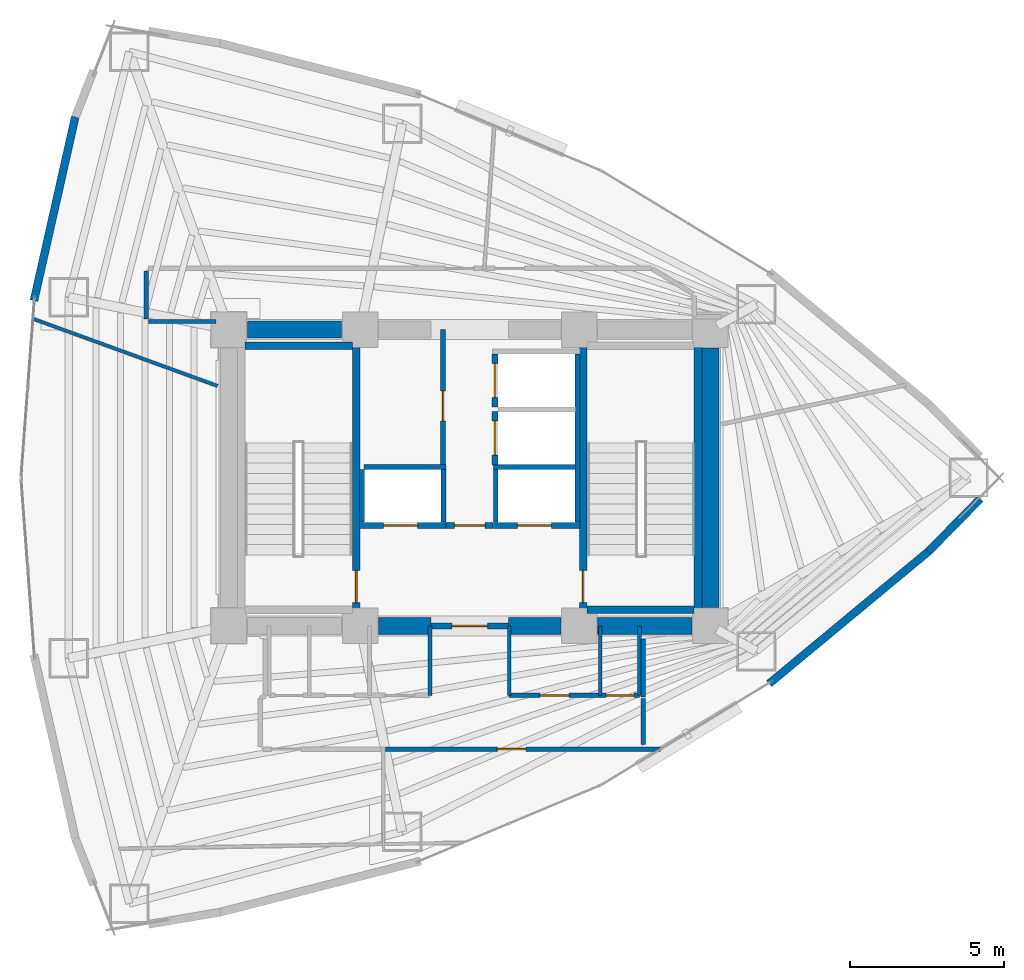
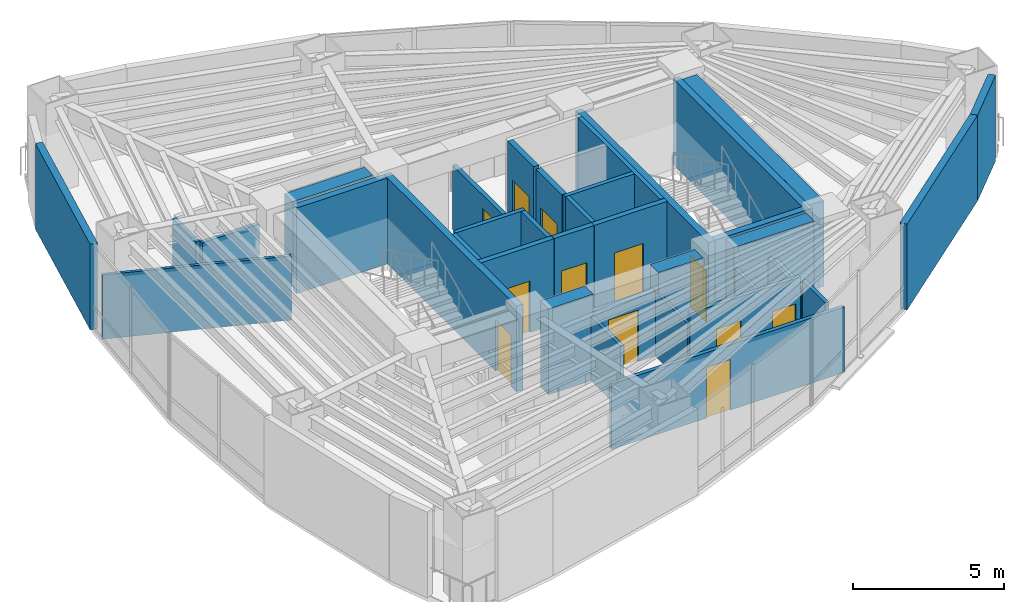
# One storey, part 15 of 19: 37 walls, 12 doors, 12 openings.
"""IFC4 building model written with IfcOpenShell, lengths in metres."""

from ifc_helpers import new_model, si_unit, direction, frame, frame_2d, origin, place, context, subcontext, project, spatial, rectangle, extrude, material, layer, layer_set, type_object, element, fill, save


model = new_model("IFC4")

# Units and contexts
model_context = context("Model", 3, precision=1e-05, world=origin(), true_north=direction((0.0, 1.0)))
body_context = subcontext(model_context, "Body", "Model", "MODEL_VIEW")
ifc_project = project(units=[si_unit("LENGTHUNIT", "METRE"), si_unit("AREAUNIT", "SQUARE_METRE"), si_unit("VOLUMEUNIT", "CUBIC_METRE"), si_unit("PLANEANGLEUNIT", "RADIAN"), si_unit("MASSUNIT", "GRAM", prefix="KILO")], contexts=[model_context])

# Site, building, storey
site_placement = place(None, origin())
site = spatial("IfcSite", under=ifc_project, at=site_placement, CompositionType="ELEMENT")
building_placement = place(site_placement, origin())
building = spatial("IfcBuilding", under=site, at=building_placement, Name="Menara Vayukalpa", CompositionType="ELEMENT")
storey_placement = place(building_placement, frame((0.0, 0.0, 122.580078125)))
storey = spatial("IfcBuildingStorey", under=building, at=storey_placement, Name="L30", CompositionType="ELEMENT", Elevation=122.580078125)

# Walls
ifc_material_1 = material(Name="Concrete C60/75", Category="concrete")
ifc_layer_1 = layer(ifc_material_1, 0.550048828125)
ifc_layer_set_1 = layer_set([ifc_layer_1], Name="Concrete C60/75")
wall_type_1 = type_object("IfcWallType", Name="WAL-CW550", PredefinedType="SHEAR", material=ifc_layer_set_1)
wall_1_placement = place(storey_placement, frame((22.64501953125, 17.199951171875, 0.0), z_axis=(0.0, 0.0, 1.0), x_axis=(1.0, 0.0, 0.0)))
element("IfcWall", 1, at=wall_1_placement, inside=storey, type_object=wall_type_1, Name="L30 Buttressed Core Shear Wall CWS2", PredefinedType="SHEAR", context=body_context, shape_type="SweptSolid", body=[
    extrude(rectangle(XDim=1.705078125, YDim=0.550048828125, at=frame_2d((0.8525390625, 0.0))), origin(), (0.0, 0.0, 1.0), 3.469970703125),
])
wall_2_placement = place(storey_placement, frame((26.85009765625, 17.199951171875, 0.0), z_axis=(0.0, 0.0, 1.0), x_axis=(1.0, 0.0, 0.0)))
element("IfcWall", 2, at=wall_2_placement, inside=storey, type_object=wall_type_1, Name="L30 Buttressed Core Shear Wall CWS3", PredefinedType="SHEAR", context=body_context, shape_type="SweptSolid", body=[
    extrude(rectangle(XDim=1.704833984375, YDim=0.550048828125, at=frame_2d((0.8525390625, 0.0))), origin(), (0.0, 0.0, 1.0), 3.469970703125),
])
wall_3_placement = place(storey_placement, frame((29.7451171875, 17.199951171875, 0.0), z_axis=(0.0, 0.0, 1.0), x_axis=(1.0, 0.0, 0.0)))
element("IfcWall", 3, at=wall_3_placement, inside=storey, type_object=wall_type_1, Name="L30 Buttressed Core Shear Wall CWS4", PredefinedType="SHEAR", context=body_context, shape_type="SweptSolid", body=[
    extrude(rectangle(XDim=3.059814453125, YDim=0.550048828125, at=frame_2d((1.52978515625, 0.0))), origin(), (0.0, 0.0, 1.0), 3.469970703125),
])
wall_4_placement = place(storey_placement, frame((18.39501953125, 26.800048828125, 0.0), z_axis=(0.0, 0.0, 1.0), x_axis=(1.0, 0.0, 0.0)))
element("IfcWall", 4, at=wall_4_placement, inside=storey, type_object=wall_type_1, Name="L30 Buttressed Core Shear Wall CWN1", PredefinedType="SHEAR", context=body_context, shape_type="SweptSolid", body=[
    extrude(rectangle(XDim=3.06005859375, YDim=0.550048828125, at=frame_2d((1.530029296875, 0.0))), origin(), (0.0, 0.0, 1.0), 3.469970703125),
])
wall_5_placement = place(storey_placement, frame((33.39990234375, 17.794921875, 0.0), z_axis=(0.0, 0.0, 1.0), x_axis=(0.0, 1.0, 0.0)))
element("IfcWall", 5, at=wall_5_placement, inside=storey, type_object=wall_type_1, Name="L30 Buttressed Core Shear Wall CWE1", PredefinedType="SHEAR", context=body_context, shape_type="SweptSolid", body=[
    extrude(rectangle(XDim=8.41015625, YDim=0.550048828125, at=frame_2d((4.205078125, 0.0))), origin(), (0.0, 0.0, 1.0), 3.469970703125),
])
ifc_material_2 = material(Name="Insulated Precast Concrete C40/50", Category="concrete")
ifc_layer_2 = layer(ifc_material_2, 0.260009765625)
ifc_layer_set_2 = layer_set([ifc_layer_2], Name="Insulated Precast Concrete C40/50")
wall_type_2 = type_object("IfcWallType", Name="WAL-EXT260", PredefinedType="PARTITIONING", material=ifc_layer_set_2)
wall_6_placement = place(storey_placement, frame((42.14111328125, 21.316650390625, 0.0), z_axis=(0.0, 0.0, 1.0), x_axis=(-0.700603293449, -0.713550996922, 0.0)))
element("IfcWall", 6, at=wall_6_placement, inside=storey, type_object=wall_type_2, Name="L30 Perimeter Terracotta Pier Wall 01", PredefinedType="PARTITIONING", context=body_context, shape_type="SweptSolid", body=[
    extrude(rectangle(XDim=2.394775390625, YDim=0.260009765625, at=frame_2d((1.197265625, 0.0))), origin(), (0.0, 0.0, 1.0), 3.469970703125),
])
wall_7_placement = place(storey_placement, frame((11.482421875, 27.73828125, 0.0), z_axis=(0.0, 0.0, 1.0), x_axis=(0.219535044336, 0.975604614743, 0.0)))
element("IfcWall", 7, at=wall_7_placement, inside=storey, type_object=wall_type_2, Name="L30 Perimeter Terracotta Pier Wall 09", PredefinedType="PARTITIONING", context=body_context, shape_type="SweptSolid", body=[
    extrude(rectangle(XDim=6.10205078125, YDim=0.260009765625, at=frame_2d((3.051025390625, 0.0))), origin(), (0.0, 0.0, 1.0), 3.469970703125),
])
wall_8_placement = place(storey_placement, frame((40.472412109375, 19.6162109375, 0.0), z_axis=(0.0, 0.0, 1.0), x_axis=(-0.76975316947, -0.638341646841, 0.0)))
element("IfcWall", 8, at=wall_8_placement, inside=storey, type_object=wall_type_2, Name="L30 Perimeter Terracotta Pier Wall 18", PredefinedType="PARTITIONING", context=body_context, shape_type="SweptSolid", body=[
    extrude(rectangle(XDim=6.718017578125, YDim=0.260009765625, at=frame_2d((3.35888671875, 0.0))), origin(), (0.0, 0.0, 1.0), 3.469970703125),
])
ifc_material_3 = material(Name="Lightweight Concrete Blockwork C16/20", Category="masonry")
ifc_layer_3 = layer(ifc_material_3, 0.159912109375)
ifc_layer_set_3 = layer_set([ifc_layer_3], Name="Lightweight Concrete Blockwork C16/20")
wall_type_3 = type_object("IfcWallType", Name="WAL-FR150", PredefinedType="PARTITIONING", material=ifc_layer_set_3)
for number, where, z_axis, x_axis, name in (
    (9, (22.10498046875, 20.56005859375, 0.0), (0.0, 0.0, 1.0), (0.0, 1.0, 0.0), "L30 Interior Partition IW-L30-SHW-WW"),
    (10, (24.7548828125, 20.56005859375, 0.0), (0.0, 0.0, 1.0), (0.0, 1.0, 0.0), "L30 Interior Partition IW-L30-SHW-W1E"),
):
    element("IfcWall", number, at=place(storey_placement, frame(where, z_axis=z_axis, x_axis=x_axis)), inside=storey, type_object=wall_type_3, Name=name, PredefinedType="PARTITIONING", context=body_context, shape_type="SweptSolid", body=[
        extrude(rectangle(XDim=1.7099609375, YDim=0.159912109375, at=frame_2d((0.85498046875, 0.0))), origin(), (0.0, 0.0, 1.0), 3.469970703125),
    ])
wall_9_placement = place(storey_placement, frame((22.179931640625, 22.344970703125, 0.0), z_axis=(0.0, 0.0, 1.0), x_axis=(1.0, 0.0, 0.0)))
element("IfcWall", 11, at=wall_9_placement, inside=storey, type_object=wall_type_3, Name="L30 Interior Partition IW-L30-SHM-W12", PredefinedType="PARTITIONING", context=body_context, shape_type="SweptSolid", body=[
    extrude(rectangle(XDim=2.650146484375, YDim=0.159912109375, at=frame_2d((1.3251953125, 0.0))), origin(), (0.0, 0.0, 1.0), 3.469970703125),
])
wall_10_placement = place(storey_placement, frame((29.094970703125, 20.56005859375, 0.0), z_axis=(0.0, 0.0, 1.0), x_axis=(0.0, 1.0, 0.0)))
element("IfcWall", 12, at=wall_10_placement, inside=storey, type_object=wall_type_3, Name="L30 Interior Partition IW-L30-SHW-EE", PredefinedType="PARTITIONING", context=body_context, shape_type="SweptSolid", body=[
    extrude(rectangle(XDim=5.449951171875, YDim=0.159912109375, at=frame_2d((2.72509765625, 0.0))), origin(), (0.0, 0.0, 1.0), 3.469970703125),
])
wall_11_placement = place(storey_placement, frame((26.445068359375, 20.56005859375, 0.0), z_axis=(0.0, 0.0, 1.0), x_axis=(0.0, 1.0, 0.0)))
element("IfcWall", 13, at=wall_11_placement, inside=storey, type_object=wall_type_3, Name="L30 Interior Partition IW-L30-SHW-E1W", PredefinedType="PARTITIONING", context=body_context, shape_type="SweptSolid", body=[
    extrude(rectangle(XDim=1.7099609375, YDim=0.159912109375, at=frame_2d((0.85498046875, 0.0))), origin(), (0.0, 0.0, 1.0), 3.469970703125),
])
wall_12_placement = place(storey_placement, frame((26.3701171875, 22.344970703125, 0.0), z_axis=(0.0, 0.0, 1.0), x_axis=(1.0, 0.0, 0.0)))
element("IfcWall", 14, at=wall_12_placement, inside=storey, type_object=wall_type_3, Name="L30 Interior Partition IW-L30-SHM-E13", PredefinedType="PARTITIONING", context=body_context, shape_type="SweptSolid", body=[
    extrude(rectangle(XDim=2.64990234375, YDim=0.159912109375, at=frame_2d((1.324951171875, 0.0))), origin(), (0.0, 0.0, 1.0), 3.469970703125),
])

# Wall, opening, door
wall_13_placement = place(storey_placement, frame((24.739990234375, 22.429931640625, 0.0), z_axis=(0.0, 0.0, 1.0), x_axis=(0.0, 1.0, 0.0)))
wall_13 = element("IfcWall", 15, at=wall_13_placement, inside=storey, type_object=wall_type_3, Name="L30 Interior Partition IW-L30-LV7W", PredefinedType="PARTITIONING", context=body_context, shape_type="SweptSolid", body=[
    extrude(rectangle(XDim=4.3701171875, YDim=0.159912109375, at=frame_2d((2.18505859375, 0.0))), origin(), (0.0, 0.0, 1.0), 2.599853515625),
])
opening_1_placement = place(wall_13_placement, frame((1.39990234375, 0.0, 0.0)))
opening_1 = element("IfcOpeningElement", 16, at=opening_1_placement, cuts=wall_13, Name="Opening ID3", PredefinedType="OPENING", context=body_context, shape_type="SweptSolid", body=[
    extrude(rectangle(XDim=0.97998046875, YDim=2.06005859375, at=frame_2d((0.489990234375, 1.030029296875))), frame((0.0, 0.08984375, 0.0), z_axis=(0.0, -1.0, 0.0), x_axis=(1.0, 0.0, 0.0)), (0.0, 0.0, 1.0), 0.179931640625),
])
ifc_material_4 = material(Name="Fire-Rated Powder-Coated Steel Door", Category="steel")
door_type_1 = type_object("IfcDoorType", Name="DR-FD60", OperationType="NOTDEFINED", PredefinedType="DOOR", material=ifc_material_4)
door_1_placement = place(opening_1_placement, origin())
door_1 = element("IfcDoor", 17, at=door_1_placement, inside=storey, type_object=door_type_1, Name="L30 Interior Door DR-L30-LV7W", OperationType="SINGLE_SWING_LEFT", OverallHeight=2.06005859375, OverallWidth=0.97998046875, PredefinedType="DOOR", context=body_context, shape_type="SweptSolid", body=[
    extrude(rectangle(XDim=0.97998046875, YDim=2.06005859375, at=frame_2d((0.489990234375, 1.030029296875))), frame((0.0, 0.02490234375, 0.0), z_axis=(0.0, -1.0, 0.0), x_axis=(1.0, 0.0, 0.0)), (0.0, 0.0, 1.0), 0.050048828125),
])
fill(opening_1, door_1)

ifc_material_5 = material(Name="Lightweight Concrete Blockwork C16/20", Category="masonry")
ifc_layer_4 = layer(ifc_material_5, 0.199951171875)
ifc_layer_set_4 = layer_set([ifc_layer_4], Name="Lightweight Concrete Blockwork C16/20")
wall_type_4 = type_object("IfcWallType", Name="WAL-FR200", PredefinedType="PARTITIONING", material=ifc_layer_set_4)
wall_14_placement = place(storey_placement, frame((24.35009765625, 17.199951171875, 0.0), z_axis=(0.0, 0.0, 1.0), x_axis=(1.0, 0.0, 0.0)))
wall_14 = element("IfcWall", 18, at=wall_14_placement, inside=storey, type_object=wall_type_4, Name="L30 Interior Partition IW-L30-FFLS", PredefinedType="PARTITIONING", context=body_context, shape_type="SweptSolid", body=[
    extrude(rectangle(XDim=2.5, YDim=0.199951171875, at=frame_2d((1.25, 0.0))), origin(), (0.0, 0.0, 1.0), 2.599853515625),
])
opening_2_placement = place(wall_14_placement, frame((0.679931640625, 0.0, 0.0)))
opening_2 = element("IfcOpeningElement", 19, at=opening_2_placement, cuts=wall_14, Name="Opening ID2", PredefinedType="OPENING", context=body_context, shape_type="SweptSolid", body=[
    extrude(rectangle(XDim=1.14990234375, YDim=2.080078125, at=frame_2d((0.574951171875, 1.0400390625))), frame((0.0, 0.10986328125, 0.0), z_axis=(0.0, -1.0, 0.0), x_axis=(1.0, 0.0, 0.0)), (0.0, 0.0, 1.0), 0.219970703125),
])
ifc_material_6 = material(Name="Fire-Rated Powder-Coated Steel Door", Category="steel")
door_type_2 = type_object("IfcDoorType", Name="DR-FD60W", OperationType="NOTDEFINED", PredefinedType="DOOR", material=ifc_material_6)
door_2_placement = place(opening_2_placement, origin())
door_2 = element("IfcDoor", 20, at=door_2_placement, inside=storey, type_object=door_type_2, Name="L30 Interior Door DR-L30-FFLS", OperationType="SINGLE_SWING_LEFT", OverallHeight=2.080078125, OverallWidth=1.14990234375, PredefinedType="DOOR", context=body_context, shape_type="SweptSolid", body=[
    extrude(rectangle(XDim=1.14990234375, YDim=2.080078125, at=frame_2d((0.574951171875, 1.0400390625))), frame((0.0, 0.02490234375, 0.0), z_axis=(0.0, -1.0, 0.0), x_axis=(1.0, 0.0, 0.0)), (0.0, 0.0, 1.0), 0.050048828125),
])
fill(opening_2, door_2)

wall_15_placement = place(storey_placement, frame((24.840087890625, 20.449951171875, 0.0), z_axis=(0.0, 0.0, 1.0), x_axis=(1.0, 0.0, 0.0)))
wall_15 = element("IfcWall", 21, at=wall_15_placement, inside=storey, type_object=wall_type_4, Name="L30 Interior Partition IW-L30-FFLN", PredefinedType="PARTITIONING", context=body_context, shape_type="SweptSolid", body=[
    extrude(rectangle(XDim=1.52001953125, YDim=0.199951171875, at=frame_2d((0.760009765625, 0.0))), origin(), (0.0, 0.0, 1.0), 3.469970703125),
])
opening_3_placement = place(wall_15_placement, frame((0.27001953125, 0.0, 0.0)))
opening_3 = element("IfcOpeningElement", 22, at=opening_3_placement, cuts=wall_15, Name="Opening ID3", PredefinedType="OPENING", context=body_context, shape_type="SweptSolid", body=[
    extrude(rectangle(XDim=0.97998046875, YDim=2.06005859375, at=frame_2d((0.489990234375, 1.030029296875))), frame((0.0, 0.10986328125, 0.0), z_axis=(0.0, -1.0, 0.0), x_axis=(1.0, 0.0, 0.0)), (0.0, 0.0, 1.0), 0.219970703125),
])
door_3_placement = place(opening_3_placement, origin())
door_3 = element("IfcDoor", 23, at=door_3_placement, inside=storey, type_object=door_type_1, Name="L30 Interior Door DR-L30-FFLN", OperationType="SINGLE_SWING_RIGHT", OverallHeight=2.06005859375, OverallWidth=0.97998046875, PredefinedType="DOOR", context=body_context, shape_type="SweptSolid", body=[
    extrude(rectangle(XDim=0.97998046875, YDim=2.06005859375, at=frame_2d((0.489990234375, 1.030029296875))), frame((0.0, 0.02490234375, 0.0), z_axis=(0.0, -1.0, 0.0), x_axis=(1.0, 0.0, 0.0)), (0.0, 0.0, 1.0), 0.050048828125),
])
fill(opening_3, door_3)

wall_16_placement = place(storey_placement, frame((22.030029296875, 20.449951171875, 0.0), z_axis=(0.0, 0.0, 1.0), x_axis=(1.0, 0.0, 0.0)))
wall_16 = element("IfcWall", 24, at=wall_16_placement, inside=storey, type_object=wall_type_4, Name="L30 Interior Partition IW-L30-SH-W1", PredefinedType="PARTITIONING", context=body_context, shape_type="SweptSolid", body=[
    extrude(rectangle(XDim=2.800048828125, YDim=0.199951171875, at=frame_2d((1.39990234375, 0.0))), origin(), (0.0, 0.0, 1.0), 3.469970703125),
])
opening_4_placement = place(wall_16_placement, frame((0.780029296875, 0.0, 0.0)))
opening_4 = element("IfcOpeningElement", 25, at=opening_4_placement, cuts=wall_16, Name="Opening LD1", PredefinedType="OPENING", context=body_context, shape_type="SweptSolid", body=[
    extrude(rectangle(XDim=1.10009765625, YDim=2.080078125, at=frame_2d((0.550048828125, 1.0400390625))), frame((0.0, 0.10986328125, 0.0), z_axis=(0.0, -1.0, 0.0), x_axis=(1.0, 0.0, 0.0)), (0.0, 0.0, 1.0), 0.219970703125),
])
ifc_material_7 = material(Name="Brushed Stainless Steel 316 Lift Door", Category="steel")
door_type_3 = type_object("IfcDoorType", Name="DR-LD110", OperationType="NOTDEFINED", PredefinedType="DOOR", material=ifc_material_7)
door_4_placement = place(opening_4_placement, origin())
door_4 = element("IfcDoor", 26, at=door_4_placement, inside=storey, type_object=door_type_3, Name="L30 Interior Door DR-L30-LD-W1", OperationType="DOUBLE_DOOR_SLIDING", OverallHeight=2.080078125, OverallWidth=1.10009765625, PredefinedType="DOOR", context=body_context, shape_type="SweptSolid", body=[
    extrude(rectangle(XDim=1.10009765625, YDim=2.080078125, at=frame_2d((0.550048828125, 1.0400390625))), frame((0.0, 0.02490234375, 0.0), z_axis=(0.0, -1.0, 0.0), x_axis=(1.0, 0.0, 0.0)), (0.0, 0.0, 1.0), 0.050048828125),
])
fill(opening_4, door_4)

wall_17_placement = place(storey_placement, frame((26.3701171875, 20.449951171875, 0.0), z_axis=(0.0, 0.0, 1.0), x_axis=(1.0, 0.0, 0.0)))
wall_17 = element("IfcWall", 27, at=wall_17_placement, inside=storey, type_object=wall_type_4, Name="L30 Interior Partition IW-L30-SH-E1", PredefinedType="PARTITIONING", context=body_context, shape_type="SweptSolid", body=[
    extrude(rectangle(XDim=2.7998046875, YDim=0.199951171875, at=frame_2d((1.39990234375, 0.0))), origin(), (0.0, 0.0, 1.0), 3.469970703125),
])
opening_5_placement = place(wall_17_placement, frame((0.780029296875, 0.0, 0.0)))
opening_5 = element("IfcOpeningElement", 28, at=opening_5_placement, cuts=wall_17, Name="Opening LD1", PredefinedType="OPENING", context=body_context, shape_type="SweptSolid", body=[
    extrude(rectangle(XDim=1.10009765625, YDim=2.080078125, at=frame_2d((0.550048828125, 1.0400390625))), frame((0.0, 0.10986328125, 0.0), z_axis=(0.0, -1.0, 0.0), x_axis=(1.0, 0.0, 0.0)), (0.0, 0.0, 1.0), 0.219970703125),
])
door_5_placement = place(opening_5_placement, origin())
door_5 = element("IfcDoor", 29, at=door_5_placement, inside=storey, type_object=door_type_3, Name="L30 Interior Door DR-L30-LD-E1", OperationType="DOUBLE_DOOR_SLIDING", OverallHeight=2.080078125, OverallWidth=1.10009765625, PredefinedType="DOOR", context=body_context, shape_type="SweptSolid", body=[
    extrude(rectangle(XDim=1.10009765625, YDim=2.080078125, at=frame_2d((0.550048828125, 1.0400390625))), frame((0.0, 0.02490234375, 0.0), z_axis=(0.0, -1.0, 0.0), x_axis=(1.0, 0.0, 0.0)), (0.0, 0.0, 1.0), 0.050048828125),
])
fill(opening_5, door_5)

wall_18_placement = place(storey_placement, frame((26.419921875, 22.419921875, 0.0), z_axis=(0.0, 0.0, 1.0), x_axis=(0.0, 1.0, 0.0)))
wall_18 = element("IfcWall", 30, at=wall_18_placement, inside=storey, type_object=wall_type_4, Name="L30 Interior Partition IW-L30-SH-E3", PredefinedType="PARTITIONING", context=body_context, shape_type="SweptSolid", body=[
    extrude(rectangle(XDim=1.719970703125, YDim=0.199951171875, at=frame_2d((0.85986328125, 0.0))), origin(), (0.0, 0.0, 1.0), 3.469970703125),
])
opening_6_placement = place(wall_18_placement, frame((0.31005859375, 0.0, 0.0)))
opening_6 = element("IfcOpeningElement", 31, at=opening_6_placement, cuts=wall_18, Name="Opening LD1", PredefinedType="OPENING", context=body_context, shape_type="SweptSolid", body=[
    extrude(rectangle(XDim=1.10009765625, YDim=2.080078125, at=frame_2d((0.550048828125, 1.0400390625))), frame((0.0, 0.10986328125, 0.0), z_axis=(0.0, -1.0, 0.0), x_axis=(1.0, 0.0, 0.0)), (0.0, 0.0, 1.0), 0.219970703125),
])
door_6_placement = place(opening_6_placement, origin())
door_6 = element("IfcDoor", 32, at=door_6_placement, inside=storey, type_object=door_type_3, Name="L30 Interior Door DR-L30-LD-E3", OperationType="DOUBLE_DOOR_SLIDING", OverallHeight=2.080078125, OverallWidth=1.10009765625, PredefinedType="DOOR", context=body_context, shape_type="SweptSolid", body=[
    extrude(rectangle(XDim=1.10009765625, YDim=2.080078125, at=frame_2d((0.550048828125, 1.0400390625))), frame((0.0, 0.02490234375, 0.0), z_axis=(0.0, -1.0, 0.0), x_axis=(1.0, 0.0, 0.0)), (0.0, 0.0, 1.0), 0.050048828125),
])
fill(opening_6, door_6)

wall_19_placement = place(storey_placement, frame((26.419921875, 24.2900390625, 0.0), z_axis=(0.0, 0.0, 1.0), x_axis=(0.0, 1.0, 0.0)))
wall_19 = element("IfcWall", 33, at=wall_19_placement, inside=storey, type_object=wall_type_4, Name="L30 Interior Partition IW-L30-SH-E2", PredefinedType="PARTITIONING", context=body_context, shape_type="SweptSolid", body=[
    extrude(rectangle(XDim=1.719970703125, YDim=0.199951171875, at=frame_2d((0.85986328125, 0.0))), origin(), (0.0, 0.0, 1.0), 3.469970703125),
])
opening_7_placement = place(wall_19_placement, frame((0.31005859375, 0.0, 0.0)))
opening_7 = element("IfcOpeningElement", 34, at=opening_7_placement, cuts=wall_19, Name="Opening LD1", PredefinedType="OPENING", context=body_context, shape_type="SweptSolid", body=[
    extrude(rectangle(XDim=1.10009765625, YDim=2.080078125, at=frame_2d((0.550048828125, 1.0400390625))), frame((0.0, 0.10986328125, 0.0), z_axis=(0.0, -1.0, 0.0), x_axis=(1.0, 0.0, 0.0)), (0.0, 0.0, 1.0), 0.219970703125),
])
door_7_placement = place(opening_7_placement, origin())
door_7 = element("IfcDoor", 35, at=door_7_placement, inside=storey, type_object=door_type_3, Name="L30 Interior Door DR-L30-LD-E2", OperationType="DOUBLE_DOOR_SLIDING", OverallHeight=2.080078125, OverallWidth=1.10009765625, PredefinedType="DOOR", context=body_context, shape_type="SweptSolid", body=[
    extrude(rectangle(XDim=1.10009765625, YDim=2.080078125, at=frame_2d((0.550048828125, 1.0400390625))), frame((0.0, 0.02490234375, 0.0), z_axis=(0.0, -1.0, 0.0), x_axis=(1.0, 0.0, 0.0)), (0.0, 0.0, 1.0), 0.050048828125),
])
fill(opening_7, door_7)

# Walls
ifc_material_8 = material(Name="Acoustic Mineral Stud Partition", Category="masonry")
ifc_layer_5 = layer(ifc_material_8, 0.110107421875)
ifc_layer_set_5 = layer_set([ifc_layer_5], Name="Acoustic Mineral Stud Partition")
wall_type_5 = type_object("IfcWallType", Name="WAL-PT110", PredefinedType="PARTITIONING", material=ifc_layer_set_5)
wall_20_placement = place(storey_placement, frame((26.8798828125, 14.949951171875, 0.0), z_axis=(0.0, 0.0, 1.0), x_axis=(0.0, 1.0, 0.0)))
element("IfcWall", 36, at=wall_20_placement, inside=storey, type_object=wall_type_5, Name="L30 Interior Partition IW-L30-SVCD-05", PredefinedType="PARTITIONING", context=body_context, shape_type="SweptSolid", body=[
    extrude(rectangle(XDim=2.25, YDim=0.110107421875, at=frame_2d((1.125, 0.0))), origin(), (0.0, 0.0, 1.0), 2.599853515625),
])
wall_21_placement = place(storey_placement, frame((17.429931640625, 24.9736328125, 0.0), z_axis=(0.0, 0.0, 1.0), x_axis=(-0.939693782006, 0.342016952882, 0.0)))
element("IfcWall", 37, at=wall_21_placement, inside=storey, type_object=wall_type_5, Name="L30 Interior Partition IW-L30-RDIV03", PredefinedType="PARTITIONING", context=body_context, shape_type="SweptSolid", body=[
    extrude(rectangle(XDim=6.369384765625, YDim=0.110107421875, at=frame_2d((3.1845703125, 0.0))), origin(), (0.0, 0.0, 1.0), 2.599853515625),
])
ifc_material_9 = material(Name="Gypsum Drywall Steel Stud Assembly", Category="steel")
ifc_layer_6 = layer(ifc_material_9, 0.125)
ifc_layer_set_6 = layer_set([ifc_layer_6], Name="Gypsum Drywall Steel Stud Assembly")
wall_type_6 = type_object("IfcWallType", Name="WAL-PT125", PredefinedType="PARTITIONING", material=ifc_layer_set_6)
for number, where, z_axis, x_axis, name in (
    (38, (24.320068359375, 14.949951171875, 0.0), (0.0, 0.0, 1.0), (0.0, 1.0, 0.0), "L30 Interior Partition IW-L30-SVCD-04"),
    (39, (29.830078125, 14.949951171875, 0.0), (0.0, 0.0, 1.0), (0.0, 1.0, 0.0), "L30 Interior Partition IW-L30-SVCD-06"),
    (40, (31.10009765625, 14.949951171875, 0.0), (0.0, 0.0, 1.0), (0.0, 1.0, 0.0), "L30 Interior Partition IW-L30-SVCD-07"),
):
    element("IfcWall", number, at=place(storey_placement, frame(where, z_axis=z_axis, x_axis=x_axis)), inside=storey, type_object=wall_type_6, Name=name, PredefinedType="PARTITIONING", context=body_context, shape_type="SweptSolid", body=[
        extrude(rectangle(XDim=2.25, YDim=0.125, at=frame_2d((1.125, 0.0))), origin(), (0.0, 0.0, 1.0), 2.599853515625),
    ])

# Wall, openings, doors
ifc_material_10 = material(Name="Gypsum Drywall Acoustic Stud Assembly", Category="masonry")
ifc_layer_7 = layer(ifc_material_10, 0.14501953125)
ifc_layer_set_7 = layer_set([ifc_layer_7], Name="Gypsum Drywall Acoustic Stud Assembly")
wall_type_7 = type_object("IfcWallType", Name="WAL-PT150", PredefinedType="PARTITIONING", material=ifc_layer_set_7)
wall_22_placement = place(storey_placement, frame((26.8798828125, 14.949951171875, 0.0), z_axis=(0.0, 0.0, 1.0), x_axis=(1.0, 0.0, 0.0)))
wall_22 = element("IfcWall", 41, at=wall_22_placement, inside=storey, type_object=wall_type_7, Name="L30 Interior Partition IW-L30-SVCS-E", PredefinedType="PARTITIONING", context=body_context, shape_type="SweptSolid", body=[
    extrude(rectangle(XDim=4.22021484375, YDim=0.14501953125, at=frame_2d((2.110107421875, 0.0))), origin(), (0.0, 0.0, 1.0), 3.0498046875),
])
opening_8_placement = place(wall_22_placement, frame((0.9951171875, 0.0, 0.0)))
opening_8 = element("IfcOpeningElement", 42, at=opening_8_placement, cuts=wall_22, Name="Opening ID5", PredefinedType="OPENING", context=body_context, shape_type="SweptSolid", body=[
    extrude(rectangle(XDim=0.949951171875, YDim=2.06005859375, at=frame_2d((0.47509765625, 1.030029296875))), frame((0.0, 0.08251953125, 0.0), z_axis=(0.0, -1.0, 0.0), x_axis=(1.0, 0.0, 0.0)), (0.0, 0.0, 1.0), 0.1650390625),
])
opening_9_placement = place(wall_22_placement, frame((3.139892578125, 0.0, 0.0)))
opening_9 = element("IfcOpeningElement", 43, at=opening_9_placement, cuts=wall_22, Name="Opening ID7", PredefinedType="OPENING", context=body_context, shape_type="SweptSolid", body=[
    extrude(rectangle(XDim=0.89990234375, YDim=2.02001953125, at=frame_2d((0.449951171875, 1.010009765625))), frame((0.0, 0.08251953125, 0.0), z_axis=(0.0, -1.0, 0.0), x_axis=(1.0, 0.0, 0.0)), (0.0, 0.0, 1.0), 0.1650390625),
])
ifc_material_11 = material(Name="Acoustic Hardwood Veneer Timber Door", Category="wood")
door_type_4 = type_object("IfcDoorType", Name="DR-INT95", OperationType="NOTDEFINED", PredefinedType="DOOR", material=ifc_material_11)
door_8_placement = place(opening_8_placement, origin())
door_8 = element("IfcDoor", 44, at=door_8_placement, inside=storey, type_object=door_type_4, Name="L30 Interior Door DR-L30-KSV1", OperationType="SINGLE_SWING_LEFT", OverallHeight=2.06005859375, OverallWidth=0.949951171875, PredefinedType="DOOR", context=body_context, shape_type="SweptSolid", body=[
    extrude(rectangle(XDim=0.949951171875, YDim=2.06005859375, at=frame_2d((0.47509765625, 1.030029296875))), frame((0.0, 0.02490234375, 0.0), z_axis=(0.0, -1.0, 0.0), x_axis=(1.0, 0.0, 0.0)), (0.0, 0.0, 1.0), 0.050048828125),
])
fill(opening_8, door_8)
ifc_material_12 = material(Name="Powder-Coated Steel Riser Access Door", Category="steel")
door_type_5 = type_object("IfcDoorType", Name="DR-RISER", OperationType="NOTDEFINED", PredefinedType="DOOR", material=ifc_material_12)
door_9_placement = place(opening_9_placement, origin())
door_9 = element("IfcDoor", 45, at=door_9_placement, inside=storey, type_object=door_type_5, Name="L30 Interior Door DR-L30-SMD", OperationType="SINGLE_SWING_RIGHT", OverallHeight=2.02001953125, OverallWidth=0.89990234375, PredefinedType="DOOR", context=body_context, shape_type="SweptSolid", body=[
    extrude(rectangle(XDim=0.89990234375, YDim=2.02001953125, at=frame_2d((0.449951171875, 1.010009765625))), frame((0.0, 0.02490234375, 0.0), z_axis=(0.0, -1.0, 0.0), x_axis=(1.0, 0.0, 0.0)), (0.0, 0.0, 1.0), 0.050048828125),
])
fill(opening_9, door_9)

# Wall, opening, door
wall_23_placement = place(storey_placement, frame((22.8701171875, 13.2099609375, 0.0), z_axis=(0.0, 0.0, 1.0), x_axis=(1.0, 0.0, 0.0)))
wall_23 = element("IfcWall", 46, at=wall_23_placement, inside=storey, type_object=wall_type_7, Name="L30 Interior Partition IW-L30-CRM02-1", PredefinedType="PARTITIONING", context=body_context, shape_type="SweptSolid", body=[
    extrude(rectangle(XDim=8.913818359375, YDim=0.14501953125, at=frame_2d((4.45703125, 0.0))), origin(), (0.0, 0.0, 1.0), 2.64990234375),
])
opening_10_placement = place(wall_23_placement, frame((3.62939453125, 0.0, 0.0)))
opening_10 = element("IfcOpeningElement", 47, at=opening_10_placement, cuts=wall_23, Name="Opening ID6", PredefinedType="OPENING", context=body_context, shape_type="SweptSolid", body=[
    extrude(rectangle(XDim=0.919921875, YDim=2.050048828125, at=frame_2d((0.4599609375, 1.02490234375))), frame((0.0, 0.08251953125, 0.0), z_axis=(0.0, -1.0, 0.0), x_axis=(1.0, 0.0, 0.0)), (0.0, 0.0, 1.0), 0.1650390625),
])
ifc_material_13 = material(Name="Acoustic Hardwood Veneer Timber Door", Category="wood")
door_type_6 = type_object("IfcDoorType", Name="DR-INT92", OperationType="NOTDEFINED", PredefinedType="DOOR", material=ifc_material_13)
door_10_placement = place(opening_10_placement, origin())
door_10 = element("IfcDoor", 48, at=door_10_placement, inside=storey, type_object=door_type_6, Name="L30 Interior Door DR-L30-RM02", OperationType="SINGLE_SWING_RIGHT", OverallHeight=2.050048828125, OverallWidth=0.919921875, PredefinedType="DOOR", context=body_context, shape_type="SweptSolid", body=[
    extrude(rectangle(XDim=0.919921875, YDim=2.050048828125, at=frame_2d((0.4599609375, 1.02490234375))), frame((0.0, 0.02490234375, 0.0), z_axis=(0.0, -1.0, 0.0), x_axis=(1.0, 0.0, 0.0)), (0.0, 0.0, 1.0), 0.050048828125),
])
fill(opening_10, door_10)

# Walls
wall_24_placement = place(storey_placement, frame((31.22998046875, 13.351318359375, 0.0), z_axis=(0.0, 0.0, 1.0), x_axis=(0.0, 1.0, 0.0)))
element("IfcWall", 49, at=wall_24_placement, inside=storey, type_object=wall_type_7, Name="L30 Interior Partition IW-L30-CRM02-2", PredefinedType="PARTITIONING", context=body_context, shape_type="SweptSolid", body=[
    extrude(rectangle(XDim=1.498779296875, YDim=0.14501953125, at=frame_2d((0.74951171875, 0.0))), origin(), (0.0, 0.0, 1.0), 2.89990234375),
])
wall_25_placement = place(storey_placement, frame((31.219970703125, 14.888671875, 0.0), z_axis=(0.0, 0.0, 1.0), x_axis=(0.0, 1.0, 0.0)))
element("IfcWall", 50, at=wall_25_placement, inside=storey, type_object=wall_type_7, Name="L30 Interior Partition IW-L30-CRM02-3", PredefinedType="PARTITIONING", context=body_context, shape_type="SweptSolid", body=[
    extrude(rectangle(XDim=1.891357421875, YDim=0.14501953125, at=frame_2d((0.94580078125, 0.0))), origin(), (0.0, 0.0, 1.0), 2.599853515625),
])
wall_26_placement = place(storey_placement, frame((15.1201171875, 28.699951171875, 0.0), z_axis=(0.0, 0.0, 1.0), x_axis=(0.0, -1.0, 0.0)))
element("IfcWall", 51, at=wall_26_placement, inside=storey, type_object=wall_type_7, Name="L30 Interior Partition IW-L30-CRM04-2", PredefinedType="PARTITIONING", context=body_context, shape_type="SweptSolid", body=[
    extrude(rectangle(XDim=1.56005859375, YDim=0.14501953125, at=frame_2d((0.780029296875, 0.0))), origin(), (0.0, 0.0, 1.0), 2.64990234375),
])
wall_27_placement = place(storey_placement, frame((15.199951171875, 27.06005859375, 0.0), z_axis=(0.0, 0.0, 1.0), x_axis=(1.0, 0.0, 0.0)))
element("IfcWall", 52, at=wall_27_placement, inside=storey, type_object=wall_type_7, Name="L30 Interior Partition IW-L30-CRM04-3", PredefinedType="PARTITIONING", context=body_context, shape_type="SweptSolid", body=[
    extrude(rectangle(XDim=2.179931640625, YDim=0.14501953125, at=frame_2d((1.08984375, 0.0))), origin(), (0.0, 0.0, 1.0), 2.64990234375),
])

# Wall, opening, door
ifc_material_14 = material(Name="Concrete C50/60", Category="concrete")
ifc_layer_8 = layer(ifc_material_14, 0.25)
ifc_layer_set_8 = layer_set([ifc_layer_8], Name="Concrete C50/60")
wall_type_8 = type_object("IfcWallType", Name="WAL-SW250", PredefinedType="SHEAR", material=ifc_layer_set_8)
wall_28_placement = place(storey_placement, frame((21.925048828125, 17.60009765625, 0.0), z_axis=(0.0, 0.0, 1.0), x_axis=(0.0, 1.0, 0.0)))
wall_28 = element("IfcWall", 53, at=wall_28_placement, inside=storey, type_object=wall_type_8, Name="L30 ST1 Structural Stair Shaft Wall E", PredefinedType="SHEAR", context=body_context, shape_type="SweptSolid", body=[
    extrude(rectangle(XDim=8.7998046875, YDim=0.25, at=frame_2d((4.39990234375, 0.0))), origin(), (0.0, 0.0, 1.0), 3.469970703125),
])
opening_11_placement = place(wall_28_placement, frame((0.35009765625, 0.0, 0.0)))
opening_11 = element("IfcOpeningElement", 54, at=opening_11_placement, cuts=wall_28, Name="Opening ID1", PredefinedType="OPENING", context=body_context, shape_type="SweptSolid", body=[
    extrude(rectangle(XDim=1.050048828125, YDim=2.080078125, at=frame_2d((0.52490234375, 1.0400390625))), frame((0.0, 0.135009765625, 0.0), z_axis=(0.0, -1.0, 0.0), x_axis=(1.0, 0.0, 0.0)), (0.0, 0.0, 1.0), 0.27001953125),
])
ifc_material_15 = material(Name="Fire-Rated Powder-Coated Steel Door", Category="steel")
door_type_7 = type_object("IfcDoorType", Name="DR-FD120", OperationType="NOTDEFINED", PredefinedType="DOOR", material=ifc_material_15)
door_11_placement = place(opening_11_placement, origin())
door_11 = element("IfcDoor", 55, at=door_11_placement, inside=storey, type_object=door_type_7, Name="L30 Stair Exit Door DR-L30-ST1", OperationType="SINGLE_SWING_LEFT", OverallHeight=2.080078125, OverallWidth=1.050048828125, PredefinedType="DOOR", context=body_context, shape_type="SweptSolid", body=[
    extrude(rectangle(XDim=1.050048828125, YDim=2.080078125, at=frame_2d((0.52490234375, 1.0400390625))), frame((0.0, 0.02490234375, 0.0), z_axis=(0.0, -1.0, 0.0), x_axis=(1.0, 0.0, 0.0)), (0.0, 0.0, 1.0), 0.050048828125),
])
fill(opening_11, door_11)

# Wall
wall_29_placement = place(storey_placement, frame((18.3291015625, 26.27490234375, 0.0), z_axis=(0.0, 0.0, 1.0), x_axis=(1.0, 0.0, 0.0)))
element("IfcWall", 56, at=wall_29_placement, inside=storey, type_object=wall_type_8, Name="L30 ST1 Structural Stair Shaft Wall N", PredefinedType="SHEAR", context=body_context, shape_type="SweptSolid", body=[
    extrude(rectangle(XDim=3.470947265625, YDim=0.25, at=frame_2d((1.7353515625, 0.0))), origin(), (0.0, 0.0, 1.0), 3.469970703125),
])

# Wall, opening, door
wall_30_placement = place(storey_placement, frame((29.27490234375, 17.60009765625, 0.0), z_axis=(0.0, 0.0, 1.0), x_axis=(0.0, 1.0, 0.0)))
wall_30 = element("IfcWall", 57, at=wall_30_placement, inside=storey, type_object=wall_type_8, Name="L30 ST2 Structural Stair Shaft Wall W", PredefinedType="SHEAR", context=body_context, shape_type="SweptSolid", body=[
    extrude(rectangle(XDim=8.7998046875, YDim=0.25, at=frame_2d((4.39990234375, 0.0))), origin(), (0.0, 0.0, 1.0), 3.469970703125),
])
opening_12_placement = place(wall_30_placement, frame((0.35009765625, 0.0, 0.0)))
opening_12 = element("IfcOpeningElement", 58, at=opening_12_placement, cuts=wall_30, Name="Opening ID1", PredefinedType="OPENING", context=body_context, shape_type="SweptSolid", body=[
    extrude(rectangle(XDim=1.050048828125, YDim=2.080078125, at=frame_2d((0.52490234375, 1.0400390625))), frame((0.0, 0.135009765625, 0.0), z_axis=(0.0, -1.0, 0.0), x_axis=(1.0, 0.0, 0.0)), (0.0, 0.0, 1.0), 0.27001953125),
])
door_12_placement = place(opening_12_placement, origin())
door_12 = element("IfcDoor", 59, at=door_12_placement, inside=storey, type_object=door_type_7, Name="L30 Stair Exit Door DR-L30-ST2", OperationType="SINGLE_SWING_RIGHT", OverallHeight=2.080078125, OverallWidth=1.050048828125, PredefinedType="DOOR", context=body_context, shape_type="SweptSolid", body=[
    extrude(rectangle(XDim=1.050048828125, YDim=2.080078125, at=frame_2d((0.52490234375, 1.0400390625))), frame((0.0, 0.02490234375, 0.0), z_axis=(0.0, -1.0, 0.0), x_axis=(1.0, 0.0, 0.0)), (0.0, 0.0, 1.0), 0.050048828125),
])
fill(opening_12, door_12)

# Walls
wall_31_placement = place(storey_placement, frame((32.99609375, 17.60009765625, 0.0), z_axis=(0.0, 0.0, 1.0), x_axis=(0.0, 1.0, 0.0)))
element("IfcWall", 60, at=wall_31_placement, inside=storey, type_object=wall_type_8, Name="L30 ST2 Structural Stair Shaft Wall E", PredefinedType="SHEAR", context=body_context, shape_type="SweptSolid", body=[
    extrude(rectangle(XDim=8.7998046875, YDim=0.25, at=frame_2d((4.39990234375, 0.0))), origin(), (0.0, 0.0, 1.0), 3.469970703125),
])
wall_32_placement = place(storey_placement, frame((29.39990234375, 17.72509765625, 0.0), z_axis=(0.0, 0.0, 1.0), x_axis=(1.0, 0.0, 0.0)))
element("IfcWall", 61, at=wall_32_placement, inside=storey, type_object=wall_type_8, Name="L30 ST2 Structural Stair Shaft Wall S", PredefinedType="SHEAR", context=body_context, shape_type="SweptSolid", body=[
    extrude(rectangle(XDim=3.47119140625, YDim=0.25, at=frame_2d((1.735595703125, 0.0))), origin(), (0.0, 0.0, 1.0), 3.469970703125),
])

save(model, "model.ifc")
